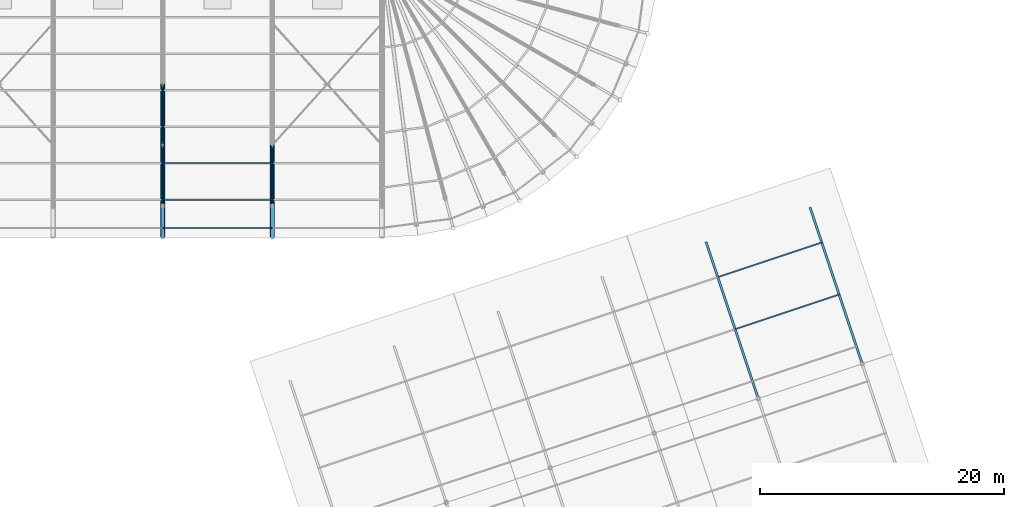
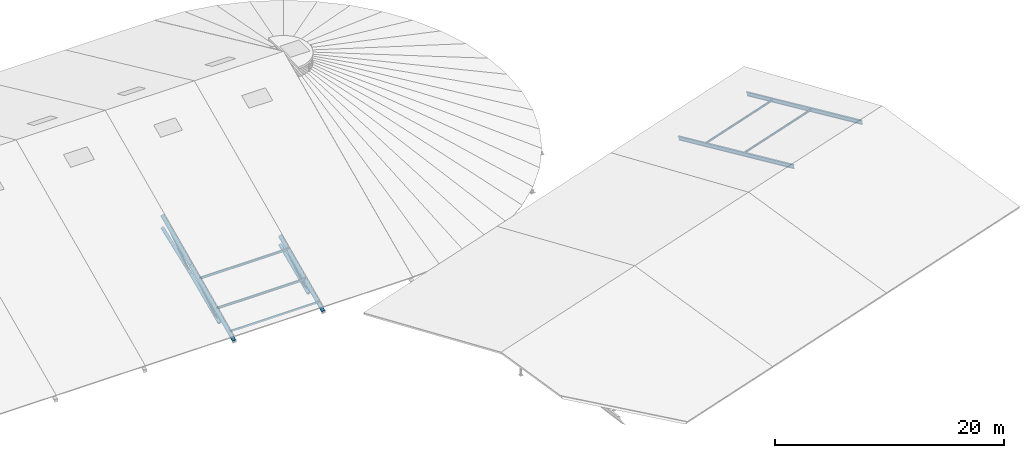
# One storey, part 31 of 107: 16 members.
"""IFC4 building model written with IfcOpenShell, lengths in metres."""

from ifc_helpers import new_model, si_unit, derived_unit, direction, frame, origin, origin_2d, place, context, subcontext, project, spatial, hollow_rectangle, hollow_circle, i_section, extrude, material, material_profile, profile_set, type_object, element, save


model = new_model("IFC4")

# Units and contexts
model_context = context("Model", 3, precision=1e-05, world=origin(), true_north=direction((0.0, 1.0)))
body_context = subcontext(model_context, "Body", "Model", "MODEL_VIEW")
ifc_project = project(units=[si_unit("LENGTHUNIT", "METRE"), si_unit("AREAUNIT", "SQUARE_METRE"), si_unit("VOLUMEUNIT", "CUBIC_METRE"), si_unit("PLANEANGLEUNIT", "RADIAN"), si_unit("MASSUNIT", "GRAM", prefix="KILO"), si_unit("THERMODYNAMICTEMPERATUREUNIT", "KELVIN"), si_unit("TIMEUNIT", "SECOND"), derived_unit("THERMALTRANSMITTANCEUNIT", [(si_unit("MASSUNIT", "GRAM", prefix="KILO"), 1), (si_unit("THERMODYNAMICTEMPERATUREUNIT", "KELVIN"), -1), (si_unit("TIMEUNIT", "SECOND"), -3)])], contexts=[model_context])

# Site, building, storey
site_placement = place(None, origin())
site = spatial("IfcSite", under=ifc_project, at=site_placement, CompositionType="ELEMENT")
building_placement = place(site_placement, origin())
building = spatial("IfcBuilding", under=site, at=building_placement, Name="Cambertide Market Hall", CompositionType="ELEMENT")
storey_placement = place(building_placement, frame((0.0, 0.0, 18.300048828125)))
storey = spatial("IfcBuildingStorey", under=building, at=storey_placement, Name="RF", CompositionType="ELEMENT", Elevation=18.300048828125)

# Members
ifc_material_1 = material(Name="Steel S355", Category="steel")
ifc_material_profile_1 = material_profile(ifc_material_1, hollow_circle(Radius=0.161865234375, WallThickness=0.010009765625, at=origin_2d()), Name="CHS 323.9x10")
ifc_profile_set_1 = profile_set([ifc_material_profile_1], Name="Steel S355")
member_type_1 = type_object("IfcMemberType", Name="Arched Truss Chord CHS 323.9x10", PredefinedType="CHORD", material=ifc_profile_set_1)
member_1_placement = place(storey_placement, frame((87.0, 52.0, -10.380126953125), z_axis=(0.0, 0.915087583381, 0.403255148438), x_axis=(-1.0, 0.0, 0.0)))
element("IfcMember", 1, at=member_1_placement, inside=storey, type_object=member_type_1, Name="Roof Truss 6 Arched Bottom Chord 1", PredefinedType="CHORD", context=body_context, shape_type="SweptSolid", body=[
    extrude(hollow_circle(Radius=0.161865234375, WallThickness=0.010009765625, at=origin_2d()), origin(), (0.0, 0.0, 1.0), 5.4638671875),
])
member_2_placement = place(storey_placement, frame((87.0, 57.0, -8.1767578125), z_axis=(0.0, 0.933191676524, 0.359379040661), x_axis=(-1.0, 0.0, 0.0)))
element("IfcMember", 2, at=member_2_placement, inside=storey, type_object=member_type_1, Name="Roof Truss 6 Arched Bottom Chord 2", PredefinedType="CHORD", context=body_context, shape_type="SweptSolid", body=[
    extrude(hollow_circle(Radius=0.161865234375, WallThickness=0.010009765625, at=origin_2d()), origin(), (0.0, 0.0, 1.0), 5.35791015625),
])
member_3_placement = place(storey_placement, frame((96.0, 52.0, -10.380126953125), z_axis=(0.0, 0.915087583381, 0.403255148438), x_axis=(-1.0, 0.0, 0.0)))
element("IfcMember", 3, at=member_3_placement, inside=storey, type_object=member_type_1, Name="Roof Truss 7 Arched Bottom Chord 1", PredefinedType="CHORD", context=body_context, shape_type="SweptSolid", body=[
    extrude(hollow_circle(Radius=0.161865234375, WallThickness=0.010009765625, at=origin_2d()), origin(), (0.0, 0.0, 1.0), 5.4638671875),
])
ifc_material_2 = material(Name="Steel S355", Category="steel")
ifc_material_profile_2 = material_profile(ifc_material_2, hollow_circle(Radius=0.177734375, WallThickness=0.012451171875, at=origin_2d()), Name="CHS 355.6x12.5")
ifc_profile_set_2 = profile_set([ifc_material_profile_2], Name="Steel S355")
member_type_2 = type_object("IfcMemberType", Name="Arched Truss Chord CHS 355.6x12.5", PredefinedType="CHORD", material=ifc_profile_set_2)
member_4_placement = place(storey_placement, frame((87.0, 57.0, -7.25), z_axis=(0.0, 0.908487084298, 0.417912930721), x_axis=(-1.0, 0.0, 0.0)))
element("IfcMember", 4, at=member_4_placement, inside=storey, type_object=member_type_2, Name="Roof Truss 6 Top Chord 2", PredefinedType="CHORD", context=body_context, shape_type="SweptSolid", body=[
    extrude(hollow_circle(Radius=0.177734375, WallThickness=0.012451171875, at=origin_2d()), origin(), (0.0, 0.0, 1.0), 5.503662109375),
])
ifc_material_3 = material(Name="Steel S355", Category="steel")
ifc_material_profile_3 = material_profile(ifc_material_3, hollow_circle(Radius=0.177734375, WallThickness=0.012451171875, at=origin_2d()), Name="CHS 355.6x12.5")
ifc_profile_set_3 = profile_set([ifc_material_profile_3], Name="Steel S355")
member_type_3 = type_object("IfcMemberType", Name="Exterior Arched Truss Chord CHS 355.6x12.5", PredefinedType="CHORD", material=ifc_profile_set_3)
for number, where, z_axis, x_axis, name in (
    (5, (87.0, 49.39990234375, -10.74609375), (0.0, 0.908488236671, 0.417910425606), (-1.0, 0.0, 0.0), "Roof Truss 6 Top Chord 1"),
    (6, (96.0, 49.39990234375, -10.74609375), (0.0, 0.908488236671, 0.417910425606), (-1.0, 0.0, 0.0), "Roof Truss 7 Top Chord 1"),
):
    element("IfcMember", number, at=place(storey_placement, frame(where, z_axis=z_axis, x_axis=x_axis)), inside=storey, type_object=member_type_3, Name=name, PredefinedType="CHORD", context=body_context, shape_type="SweptSolid", body=[
        extrude(hollow_circle(Radius=0.177734375, WallThickness=0.012451171875, at=origin_2d()), origin(), (0.0, 0.0, 1.0), 8.36572265625),
    ])
ifc_material_4 = material(Name="Steel S275", Category="steel")
ifc_material_profile_4 = material_profile(ifc_material_4, hollow_rectangle(XDim=0.10009765625, YDim=0.199951171875, WallThickness=0.00634765625, InnerFilletRadius=0.00634765625, OuterFilletRadius=0.0126953125, at=origin_2d()), Name="RHS 200x100x6.3")
ifc_profile_set_4 = profile_set([ifc_material_profile_4], Name="Steel S275")
member_type_4 = type_object("IfcMemberType", Name="Exterior Roof Purlin RHS 200x100x6.3", PredefinedType="PURLIN", material=ifc_profile_set_4)
member_5_placement = place(storey_placement, frame((87.0, 50.199951171875, -10.16796875), z_axis=(1.0, 0.0, 0.0), x_axis=(0.0, 1.0, 0.0)))
element("IfcMember", 7, at=member_5_placement, inside=storey, type_object=member_type_4, Name="Barrel Roof Purlin 6-01", PredefinedType="PURLIN", context=body_context, shape_type="SweptSolid", body=[
    extrude(hollow_rectangle(XDim=0.10009765625, YDim=0.199951171875, WallThickness=0.00634765625, InnerFilletRadius=0.00634765625, OuterFilletRadius=0.0126953125, at=origin_2d()), origin(), (0.0, 0.0, 1.0), 9.0),
])
ifc_material_5 = material(Name="Steel S355", Category="steel")
ifc_material_profile_5 = material_profile(ifc_material_5, i_section(OverallWidth=0.179931640625, OverallDepth=0.39990234375, WebThickness=0.008544921875, FlangeThickness=0.013427734375, FilletRadius=0.02099609375, at=origin_2d()), Name="IPE 400")
ifc_profile_set_5 = profile_set([ifc_material_profile_5], Name="Steel S355")
member_type_5 = type_object("IfcMemberType", Name="Radial Fan Rafter IPE 400", PredefinedType="RAFTER", material=ifc_profile_set_5)
member_6_placement = place(storey_placement, frame((131.614501953125, 48.99853515625, -4.400146484375), z_axis=(0.307722895313, -0.923168685938, 0.230361014505), x_axis=(0.948683298051, 0.316227766017, 0.0)))
element("IfcMember", 8, at=member_6_placement, inside=storey, type_object=member_type_5, Name="RAF-V3N-5", PredefinedType="RAFTER", context=body_context, shape_type="SweptSolid", body=[
    extrude(i_section(OverallWidth=0.179931640625, OverallDepth=0.39990234375, WebThickness=0.008544921875, FlangeThickness=0.013427734375, FilletRadius=0.02099609375, at=origin_2d()), origin(), (0.0, 0.0, 1.0), 13.873046875),
])
member_7_placement = place(storey_placement, frame((140.152587890625, 51.8447265625, -4.400146484375), z_axis=(0.307717896075, -0.923171286184, 0.230357272082), x_axis=(0.948685106467, 0.316222340717, 0.0)))
element("IfcMember", 9, at=member_7_placement, inside=storey, type_object=member_type_5, Name="RAF-V3N-6", PredefinedType="RAFTER", context=body_context, shape_type="SweptSolid", body=[
    extrude(i_section(OverallWidth=0.179931640625, OverallDepth=0.39990234375, WebThickness=0.008544921875, FlangeThickness=0.013427734375, FilletRadius=0.02099609375, at=origin_2d()), origin(), (0.0, 0.0, 1.0), 13.873291015625),
])
ifc_material_6 = material(Name="Steel S275", Category="steel")
ifc_material_profile_6 = material_profile(ifc_material_6, i_section(OverallWidth=0.10009765625, OverallDepth=0.199951171875, WebThickness=0.005615234375, FlangeThickness=0.008544921875, FilletRadius=0.011962890625, at=origin_2d()), Name="IPE 200")
ifc_profile_set_6 = profile_set([ifc_material_profile_6], Name="Steel S275")
member_type_6 = type_object("IfcMemberType", Name="Roof Purlin IPE 200", PredefinedType="PURLIN", material=ifc_profile_set_6)
member_8_placement = place(storey_placement, frame((133.986083984375, 41.883544921875, -2.624755859375), z_axis=(0.948688723175, 0.316211490179, 0.0), x_axis=(-0.316211490179, 0.948688723175, 0.0)))
element("IfcMember", 10, at=member_8_placement, inside=storey, type_object=member_type_6, Name="PUR-V3-5-19", PredefinedType="PURLIN", context=body_context, shape_type="SweptSolid", body=[
    extrude(i_section(OverallWidth=0.10009765625, OverallDepth=0.199951171875, WebThickness=0.005615234375, FlangeThickness=0.008544921875, FilletRadius=0.011962890625, at=origin_2d()), origin(), (0.0, 0.0, 1.0), 9.000244140625),
])
member_9_placement = place(storey_placement, frame((132.563232421875, 46.152587890625, -3.68994140625), z_axis=(0.948686010717, 0.3162196279, 0.0), x_axis=(-0.3162196279, 0.948686010717, 0.0)))
element("IfcMember", 11, at=member_9_placement, inside=storey, type_object=member_type_6, Name="PUR-V3-5-24", PredefinedType="PURLIN", context=body_context, shape_type="SweptSolid", body=[
    extrude(i_section(OverallWidth=0.10009765625, OverallDepth=0.199951171875, WebThickness=0.005615234375, FlangeThickness=0.008544921875, FilletRadius=0.011962890625, at=origin_2d()), origin(), (0.0, 0.0, 1.0), 9.0),
])
ifc_material_7 = material(Name="Steel S275", Category="steel")
ifc_material_profile_7 = material_profile(ifc_material_7, i_section(OverallWidth=0.1201171875, OverallDepth=0.239990234375, WebThickness=0.006103515625, FlangeThickness=0.009765625, FilletRadius=0.014892578125, at=origin_2d()), Name="IPE 240")
ifc_profile_set_7 = profile_set([ifc_material_profile_7], Name="Steel S275")
member_type_7 = type_object("IfcMemberType", Name="Roof Purlin IPE 240", PredefinedType="PURLIN", material=ifc_profile_set_7)
for number, where, z_axis, x_axis, name in (
    (12, (87.0, 52.5, -9.110107421875), (1.0, 0.0, 0.0), (0.0, 1.0, 0.0), "Barrel Roof Purlin 6-02"),
    (13, (87.0, 55.5, -7.72998046875), (1.0, 0.0, 0.0), (0.0, 1.0, 0.0), "Barrel Roof Purlin 6-03"),
):
    element("IfcMember", number, at=place(storey_placement, frame(where, z_axis=z_axis, x_axis=x_axis)), inside=storey, type_object=member_type_7, Name=name, PredefinedType="PURLIN", context=body_context, shape_type="SweptSolid", body=[
        extrude(i_section(OverallWidth=0.1201171875, OverallDepth=0.239990234375, WebThickness=0.006103515625, FlangeThickness=0.009765625, FilletRadius=0.014892578125, at=origin_2d()), origin(), (0.0, 0.0, 1.0), 9.0),
    ])
ifc_material_8 = material(Name="Steel S355", Category="steel")
ifc_material_profile_8 = material_profile(ifc_material_8, hollow_circle(Radius=0.084228515625, WallThickness=0.00634765625, at=origin_2d()), Name="CHS 168.3x6.3")
ifc_profile_set_8 = profile_set([ifc_material_profile_8], Name="Steel S355")
member_type_8 = type_object("IfcMemberType", Name="Structural Brace CHS 168.3x6.3", PredefinedType="BRACE", material=ifc_profile_set_8)
member_10_placement = place(storey_placement, frame((87.0, 57.0, -8.1767578125), z_axis=(0.0, 0.840220073362, 0.542245542462), x_axis=(-1.0, 0.0, 0.0)))
element("IfcMember", 14, at=member_10_placement, inside=storey, type_object=member_type_8, Name="Roof Truss 6 Web Diagonal 2", PredefinedType="BRACE", context=body_context, shape_type="SweptSolid", body=[
    extrude(hollow_circle(Radius=0.084228515625, WallThickness=0.00634765625, at=origin_2d()), origin(), (0.0, 0.0, 1.0), 5.950927734375),
])
ifc_material_9 = material(Name="Steel S355", Category="steel")
ifc_material_profile_9 = material_profile(ifc_material_9, hollow_circle(Radius=0.096923828125, WallThickness=0.00634765625, at=origin_2d()), Name="CHS 193.7x6.3")
ifc_profile_set_9 = profile_set([ifc_material_profile_9], Name="Steel S355")
member_type_9 = type_object("IfcMemberType", Name="Structural Brace CHS 193.7x6.3", PredefinedType="BRACE", material=ifc_profile_set_9)
for number, where, z_axis, x_axis, name in (
    (15, (87.0, 52.0, -10.380126953125), (0.0, 0.847607454032, 0.530623787507), (-1.0, 0.0, 0.0), "Roof Truss 6 Web Diagonal 1"),
    (16, (96.0, 52.0, -10.380126953125), (0.0, 0.847607454032, 0.530623787507), (-1.0, 0.0, 0.0), "Roof Truss 7 Web Diagonal 1"),
):
    element("IfcMember", number, at=place(storey_placement, frame(where, z_axis=z_axis, x_axis=x_axis)), inside=storey, type_object=member_type_9, Name=name, PredefinedType="BRACE", context=body_context, shape_type="SweptSolid", body=[
        extrude(hollow_circle(Radius=0.096923828125, WallThickness=0.00634765625, at=origin_2d()), origin(), (0.0, 0.0, 1.0), 5.89892578125),
    ])

save(model, "model.ifc")
